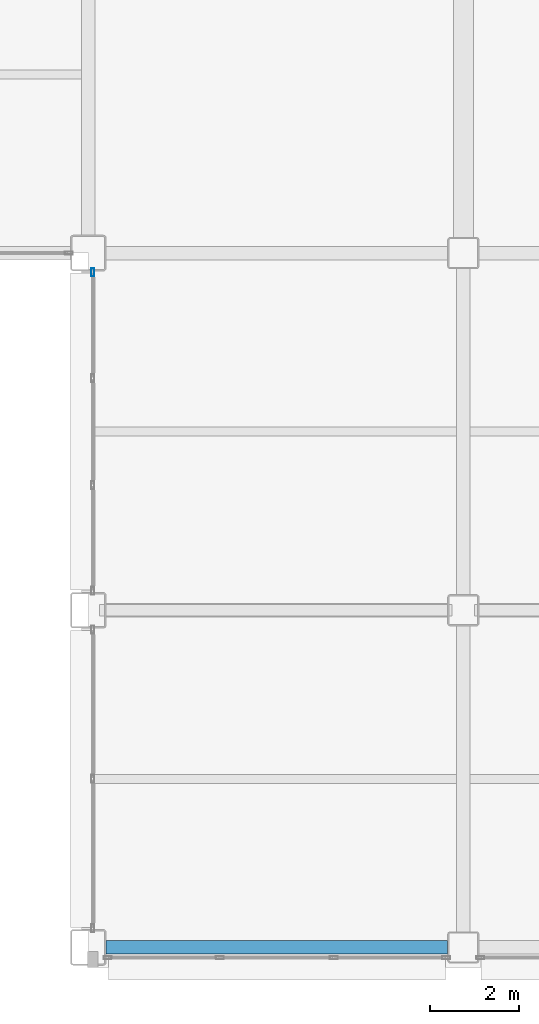
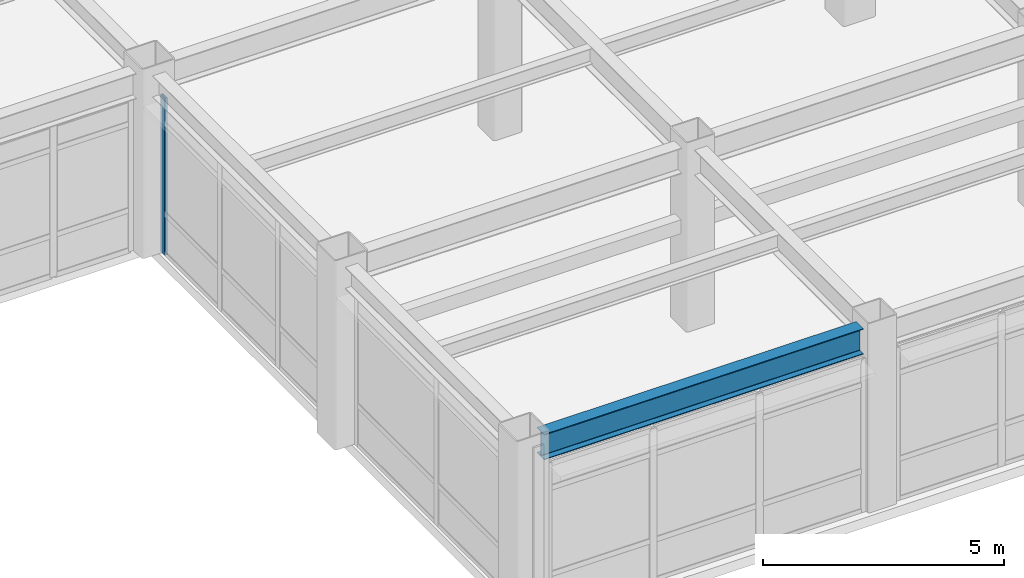
# One storey, part 80 of 154: 1 beam, 1 member, 1 element without a shape of its own.
"""IFC4 building model written with IfcOpenShell, lengths in metres."""

from ifc_helpers import new_model, si_unit, direction, frame, origin, origin_2d, place, context, subcontext, project, spatial, hollow_rectangle, i_section, extrude, material, layer, layer_set, material_profile, profile_set, type_object, element, aggregate, save


model = new_model("IFC4")

# Units and contexts
model_context = context("Model", 3, precision=1e-05, world=origin(), true_north=direction((0.0, 1.0)))
body_context = subcontext(model_context, "Body", "Model", "MODEL_VIEW")
ifc_project = project(units=[si_unit("LENGTHUNIT", "METRE"), si_unit("AREAUNIT", "SQUARE_METRE"), si_unit("VOLUMEUNIT", "CUBIC_METRE"), si_unit("PLANEANGLEUNIT", "RADIAN"), si_unit("MASSUNIT", "GRAM", prefix="KILO")], contexts=[model_context])

# Site, building, storey
site_placement = place(None, origin())
site = spatial("IfcSite", under=ifc_project, at=site_placement, CompositionType="ELEMENT")
building_placement = place(site_placement, origin())
building = spatial("IfcBuilding", under=site, at=building_placement, Name="Kazehara Bluff Congress Hotel", CompositionType="ELEMENT")
storey_placement = place(building_placement, frame((0.0, 0.0, 10.199951171875)))
storey = spatial("IfcBuildingStorey", under=building, at=storey_placement, Name="L02", CompositionType="ELEMENT", Elevation=10.199951171875)

# Curtain wall, member
ifc_material_1 = material(Name="Anodised aluminium", Category="aluminium")
ifc_layer = layer(ifc_material_1, 0.159912109375)
ifc_layer_set = layer_set([ifc_layer], Name="Anodised aluminium")
curtain_wall_type = type_object("IfcCurtainWallType", Name="TP-CW-120", PredefinedType="NOTDEFINED", material=ifc_layer_set)
curtain_wall_placement = place(storey_placement, origin())
curtain_wall = element("IfcCurtainWall", 1, at=curtain_wall_placement, inside=storey, type_object=curtain_wall_type, Name="L02 curtain wall CW-120 CW-ENC-V5-L02-14380-1200", PredefinedType="NOTDEFINED")
ifc_material_2 = material(Name="Anodised aluminium", Category="aluminium")
ifc_material_profile_1 = material_profile(ifc_material_2, hollow_rectangle(XDim=0.06494140625, YDim=0.179931640625, WallThickness=0.00390625, InnerFilletRadius=0.00390625, OuterFilletRadius=0.008056640625, at=origin_2d()))
ifc_profile_set_1 = profile_set([ifc_material_profile_1], Name="Anodised aluminium")
member_type = type_object("IfcMemberType", Name="TP-CWM-02", PredefinedType="MULLION", material=ifc_profile_set_1)
member_placement = place(storey_placement, frame((143.800048828125, 15.5673828125, 0.0), z_axis=(0.0, 0.0, 1.0), x_axis=(-1.0, 0.0, 0.0)))
member = element("IfcMember", 2, at=member_placement, type_object=member_type, Name="CW-120 mullion 4", PredefinedType="MULLION", context=body_context, shape_type="SweptSolid", body=[
    extrude(hollow_rectangle(XDim=0.06494140625, YDim=0.179931640625, WallThickness=0.00390625, InnerFilletRadius=0.00390625, OuterFilletRadius=0.008056640625, at=origin_2d()), origin(), (0.0, 0.0, 1.0), 3.985107421875),
])
aggregate(curtain_wall, [member])

# Beam
ifc_material_3 = material(Name="Steel SN490B", Category="steel")
ifc_material_profile_2 = material_profile(ifc_material_3, i_section(OverallWidth=0.300048828125, OverallDepth=0.64990234375, WebThickness=0.011962890625, FlangeThickness=0.02001953125, FilletRadius=0.012939453125, at=origin_2d()))
ifc_profile_set_2 = profile_set([ifc_material_profile_2], Name="Steel SN490B")
beam_type = type_object("IfcBeamType", Name="TP-G-03", PredefinedType="BEAM", material=ifc_profile_set_2)
beam_placement = place(storey_placement, frame((144.10009765625, 0.449951171875, 4.235107421875), z_axis=(1.0, 0.0, 0.0), x_axis=(0.0, 1.0, 0.0)))
element("IfcBeam", 3, at=beam_placement, inside=storey, type_object=beam_type, Name="L02 girder G-03 180", PredefinedType="BEAM", context=body_context, shape_type="SweptSolid", body=[
    extrude(i_section(OverallWidth=0.300048828125, OverallDepth=0.64990234375, WebThickness=0.011962890625, FlangeThickness=0.02001953125, FilletRadius=0.012939453125, at=origin_2d()), origin(), (0.0, 0.0, 1.0), 7.64990234375),
])

save(model, "model.ifc")
